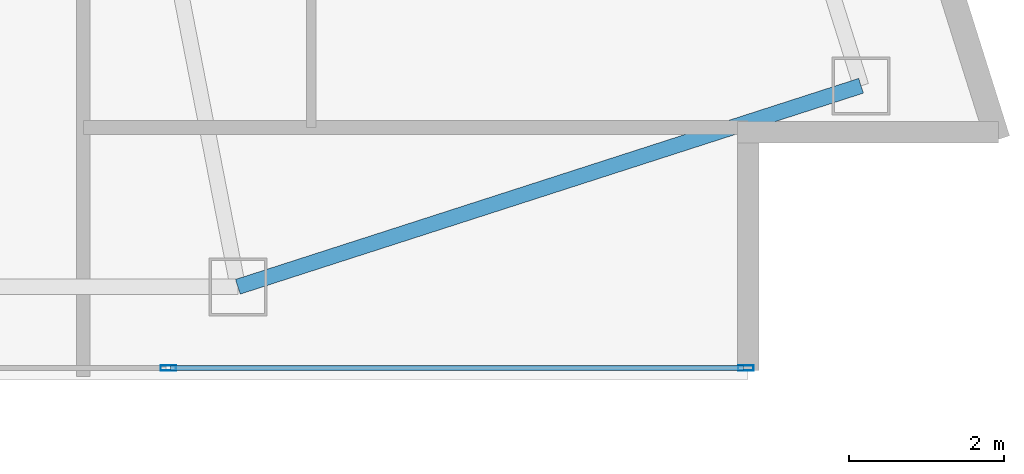
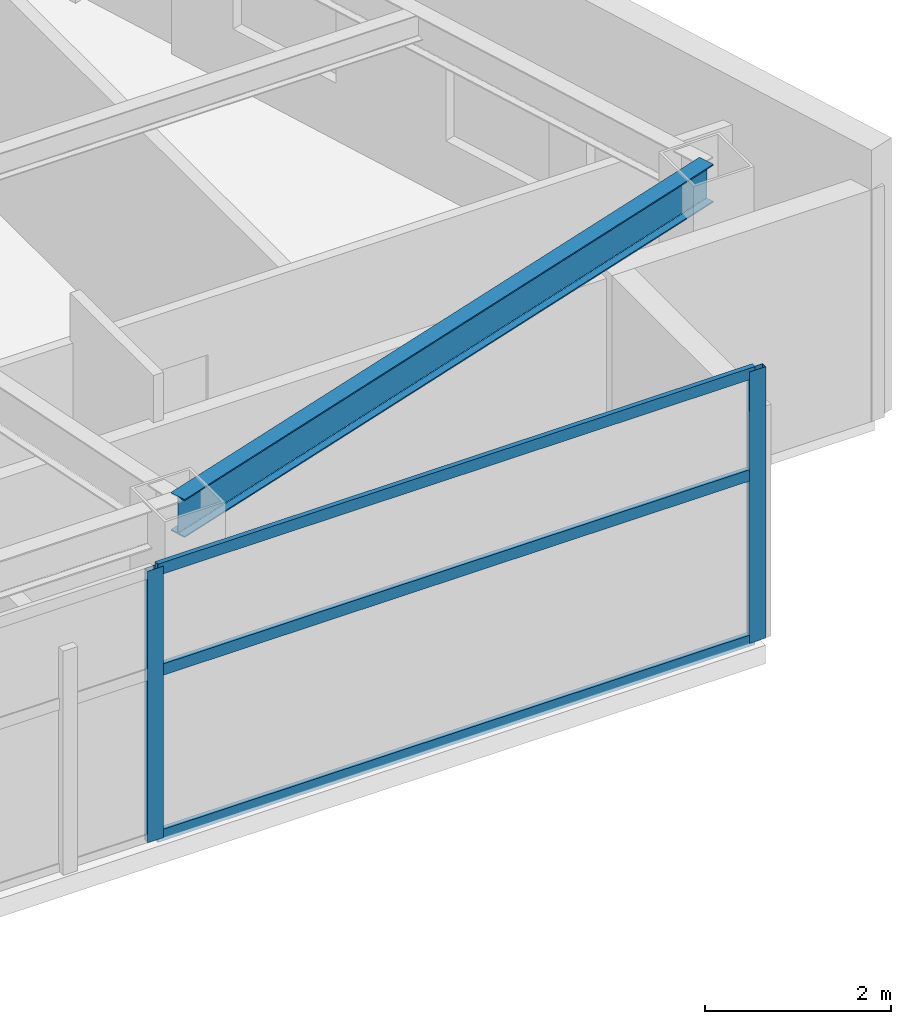
# One storey, part 14 of 28: 5 members, 1 beam, 1 element without a shape of its own.
"""IFC4 building model written with IfcOpenShell, lengths in metres."""

from ifc_helpers import new_model, si_unit, direction, frame, origin, origin_2d, place, context, subcontext, project, spatial, hollow_rectangle, i_section, extrude, material, layer, layer_set, material_profile, profile_set, type_object, element, aggregate, save


model = new_model("IFC4")

# Units and contexts
model_context = context("Model", 3, precision=1e-05, world=origin(), true_north=direction((0.0, 1.0)))
body_context = subcontext(model_context, "Body", "Model", "MODEL_VIEW")
ifc_project = project(units=[si_unit("LENGTHUNIT", "METRE"), si_unit("AREAUNIT", "SQUARE_METRE"), si_unit("VOLUMEUNIT", "CUBIC_METRE"), si_unit("PLANEANGLEUNIT", "RADIAN"), si_unit("MASSUNIT", "GRAM", prefix="KILO")], contexts=[model_context])

# Site, building, storey
site_placement = place(None, origin())
site = spatial("IfcSite", under=ifc_project, at=site_placement, CompositionType="ELEMENT")
building_placement = place(site_placement, origin())
building = spatial("IfcBuilding", under=site, at=building_placement, Name="Calvorn Quay Hotel", CompositionType="ELEMENT")
storey_placement = place(building_placement, frame((0.0, 0.0, 178.89990234375)))
storey = spatial("IfcBuildingStorey", under=building, at=storey_placement, Name="L44", CompositionType="ELEMENT", Elevation=178.89990234375)

# Beam
ifc_material_1 = material(Name="Steel Q355B", Category="steel")
ifc_material_profile_1 = material_profile(ifc_material_1, i_section(OverallWidth=0.199951171875, OverallDepth=0.5, WebThickness=0.010009765625, FlangeThickness=0.01611328125, FilletRadius=0.01611328125, at=origin_2d()), Name="HN500x200x10x16")
ifc_profile_set_1 = profile_set([ifc_material_profile_1], Name="Steel Q355B")
beam_type = type_object("IfcBeamType", Name="BM-SPANDREL-Z1", PredefinedType="SPANDREL", material=ifc_profile_set_1)
beam_placement = place(storey_placement, frame((49.39990234375, 3.60009765625, 3.2900390625), z_axis=(0.951725188386, 0.306951406237, 0.0), x_axis=(-0.306951406237, 0.951725188386, 0.0)))
element("IfcBeam", 1, at=beam_placement, inside=storey, type_object=beam_type, Name="Beam BSP-L44-S6", PredefinedType="SPANDREL", context=body_context, shape_type="SweptSolid", body=[
    extrude(i_section(OverallWidth=0.199951171875, OverallDepth=0.5, WebThickness=0.010009765625, FlangeThickness=0.01611328125, FilletRadius=0.01611328125, at=origin_2d()), origin(), (0.0, 0.0, 1.0), 8.469970703125),
])

# Curtain wall, members
ifc_material_2 = material(Name="Pale Anodised Aluminium and Low-E Glass", Category="aluminium")
ifc_layer = layer(ifc_material_2, 0.219970703125)
ifc_layer_set = layer_set([ifc_layer], Name="CW-SYS-Z2")
curtain_wall_type = type_object("IfcCurtainWallType", Name="CW-SYS-Z2", PredefinedType="NOTDEFINED", material=ifc_layer_set)
curtain_wall_placement = place(storey_placement, origin())
curtain_wall = element("IfcCurtainWall", 2, at=curtain_wall_placement, inside=storey, type_object=curtain_wall_type, Name="Tower South Waterfront Curtain Wall (L44)", PredefinedType="NOTDEFINED")
ifc_material_3 = material(Name="Pale Anodised Aluminium 6063-T6", Category="aluminium")
ifc_material_profile_2 = material_profile(ifc_material_3, hollow_rectangle(XDim=0.070068359375, YDim=0.199951171875, WallThickness=0.00390625, at=origin_2d()), Name="ALU-M200x70x4")
ifc_profile_set_2 = profile_set([ifc_material_profile_2], Name="Pale Anodised Aluminium 6063-T6")
member_type_1 = type_object("IfcMemberType", Name="CW-SYS-Z2-MUL", PredefinedType="MULLION", material=ifc_profile_set_2)
member_1_placement = place(storey_placement, frame((48.5, 2.550048828125, 0.0), z_axis=(0.0, 0.0, 1.0), x_axis=(0.0, 1.0, 0.0)))
member_1 = element("IfcMember", 3, at=member_1_placement, type_object=member_type_1, Name="CW-L44-S mullion 6", PredefinedType="MULLION", context=body_context, shape_type="SweptSolid", body=[
    extrude(hollow_rectangle(XDim=0.070068359375, YDim=0.199951171875, WallThickness=0.00390625, at=origin_2d()), origin(), (0.0, 0.0, 1.0), 3.56005859375),
])
member_2_placement = place(storey_placement, frame((55.969970703125, 2.550048828125, 0.0), z_axis=(0.0, 0.0, 1.0), x_axis=(0.0, 1.0, 0.0)))
member_2 = element("IfcMember", 4, at=member_2_placement, type_object=member_type_1, Name="CW-L44-S mullion 7", PredefinedType="MULLION", context=body_context, shape_type="SweptSolid", body=[
    extrude(hollow_rectangle(XDim=0.070068359375, YDim=0.199951171875, WallThickness=0.00390625, at=origin_2d()), origin(), (0.0, 0.0, 1.0), 3.56005859375),
])
ifc_material_4 = material(Name="Pale Anodised Aluminium 6063-T6", Category="aluminium")
ifc_material_profile_3 = material_profile(ifc_material_4, hollow_rectangle(XDim=0.06005859375, YDim=0.14990234375, WallThickness=0.00341796875, at=origin_2d()), Name="ALU-T150x60x3.5")
ifc_profile_set_3 = profile_set([ifc_material_profile_3], Name="Pale Anodised Aluminium 6063-T6")
member_type_2 = type_object("IfcMemberType", Name="CW-SYS-Z2-TRN", PredefinedType="USERDEFINED", material=ifc_profile_set_3)
member_3_placement = place(storey_placement, frame((48.530029296875, 2.550048828125, 0.030029296875), z_axis=(1.0, 0.0, 0.0), x_axis=(0.0, 1.0, 0.0)))
member_3 = element("IfcMember", 5, at=member_3_placement, type_object=member_type_2, Name="CW-L44-S transom 6.1", ObjectType="TRANSOM", PredefinedType="USERDEFINED", context=body_context, shape_type="SweptSolid", body=[
    extrude(hollow_rectangle(XDim=0.06005859375, YDim=0.14990234375, WallThickness=0.00341796875, at=origin_2d()), origin(), (0.0, 0.0, 1.0), 7.409912109375),
])
member_4_placement = place(storey_placement, frame((48.530029296875, 2.550048828125, 2.2001953125), z_axis=(1.0, 0.0, 0.0), x_axis=(0.0, 1.0, 0.0)))
member_4 = element("IfcMember", 6, at=member_4_placement, type_object=member_type_2, Name="CW-L44-S transom 6.2", ObjectType="TRANSOM", PredefinedType="USERDEFINED", context=body_context, shape_type="SweptSolid", body=[
    extrude(hollow_rectangle(XDim=0.06005859375, YDim=0.14990234375, WallThickness=0.00341796875, at=origin_2d()), origin(), (0.0, 0.0, 1.0), 7.409912109375),
])
member_5_placement = place(storey_placement, frame((48.530029296875, 2.550048828125, 3.530029296875), z_axis=(1.0, 0.0, 0.0), x_axis=(0.0, 1.0, 0.0)))
member_5 = element("IfcMember", 7, at=member_5_placement, type_object=member_type_2, Name="CW-L44-S transom 6.3", ObjectType="TRANSOM", PredefinedType="USERDEFINED", context=body_context, shape_type="SweptSolid", body=[
    extrude(hollow_rectangle(XDim=0.06005859375, YDim=0.14990234375, WallThickness=0.00341796875, at=origin_2d()), origin(), (0.0, 0.0, 1.0), 7.409912109375),
])
aggregate(curtain_wall, [member_1, member_2, member_3, member_4, member_5])

save(model, "model.ifc")
